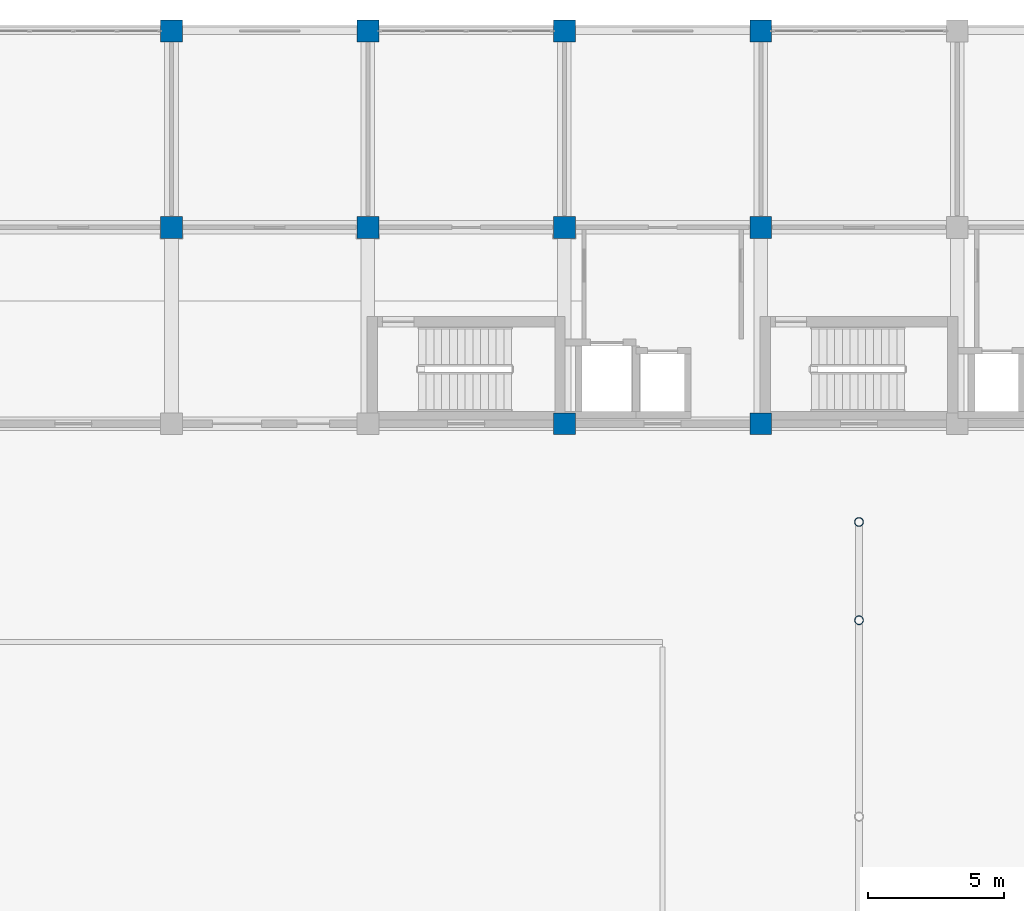
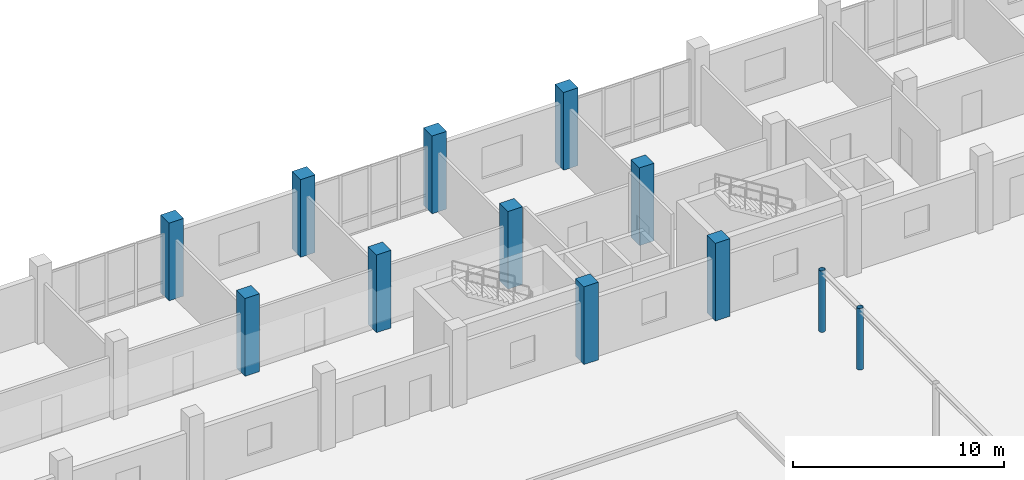
# One storey, part 11 of 139: 12 columns.
"""IFC4 building model written with IfcOpenShell, lengths in metres."""

import ifcopenshell
import ifcopenshell.guid

model = None  # the IFC model being written
_history = None  # IfcOwnerHistory: only IFC2X3 demands one
_inside = {}  # id of a spatial element -> (the spatial element, [elements in it])
_under = {}  # id of a project, library or spatial element -> (it, [spatial elements below it])
_declared = {}  # id of a project -> (the project, [libraries it declares])
_typed = {}  # id of a type object -> (the type object, [elements of that type])
_made_of = {}  # id of a material, layer set ... -> (it, [elements and type objects made of it])


def new_model(schema):
    """Start an empty IFC model of exactly this schema.

    Asked for "IFC4X3", IfcOpenShell would pick the latest addendum, in which some entities
    have other attributes; the version numbers below select the first issue.
    IFC2X3 requires an IfcOwnerHistory on every rooted entity: one is made here for all.
    """
    global model, _history
    if schema == "IFC4X3":
        model = ifcopenshell.file(schema_version=(4, 3, 0, 0))
    else:
        model = ifcopenshell.file(schema=schema)
    _inside.clear()
    _under.clear()
    _declared.clear()
    _typed.clear()
    _made_of.clear()
    _history = None
    if model.schema == "IFC2X3":
        org = make("IfcOrganization", Name="unknown")
        user = make(
            "IfcPersonAndOrganization",
            ThePerson=make("IfcPerson", FamilyName="unknown"),
            TheOrganization=org,
        )
        app = make(
            "IfcApplication",
            ApplicationDeveloper=org,
            Version="unknown",
            ApplicationFullName="unknown",
            ApplicationIdentifier="unknown",
        )
        _history = make(
            "IfcOwnerHistory",
            OwningUser=user,
            OwningApplication=app,
            ChangeAction="ADDED",
            CreationDate=0,
        )
    return model


def make(cls, **values):
    """One entity of the class cls with the attributes given. An attribute that is None is left unset."""
    return model.create_entity(
        cls, **{name: value for name, value in values.items() if value is not None}
    )


def rooted(cls, **values):
    """An entity with a GlobalId (a new one), such as an element, a storey or a relation."""
    return make(cls, GlobalId=ifcopenshell.guid.new(), OwnerHistory=_history, **values)


def si_unit(unit_type, name, prefix=None):
    """IfcSIUnit, for example si_unit("LENGTHUNIT", "METRE", prefix="MILLI")."""
    return make("IfcSIUnit", UnitType=unit_type, Prefix=prefix, Name=name)


def assignment(units):
    """IfcUnitAssignment: the units of a project."""
    return None if units is None else make("IfcUnitAssignment", Units=units)


def point(xyz):
    """IfcCartesianPoint."""
    return None if xyz is None else make("IfcCartesianPoint", Coordinates=xyz)


def direction(xyz):
    """IfcDirection."""
    return None if xyz is None else make("IfcDirection", DirectionRatios=xyz)


def frame(location, z_axis=None, x_axis=None):
    """IfcAxis2Placement3D, a coordinate frame: its origin and axes. An axis left out is left unset."""
    return make(
        "IfcAxis2Placement3D",
        Location=point(location),
        Axis=direction(z_axis),
        RefDirection=direction(x_axis),
    )


def frame_2d(location, x_axis=None):
    """IfcAxis2Placement2D, a coordinate frame in the plane: its origin and x axis."""
    return make(
        "IfcAxis2Placement2D", Location=point(location), RefDirection=direction(x_axis)
    )


def origin():
    """The frame at (0, 0, 0) with its axes left unset."""
    return frame((0.0, 0.0, 0.0))


def origin_2d():
    """The frame at (0, 0) in the plane with its x axis left unset."""
    return frame_2d((0.0, 0.0))


def place(relative_to, where):
    """IfcLocalPlacement: puts the frame where relative to a parent placement (None: the world)."""
    return make(
        "IfcLocalPlacement", PlacementRelTo=relative_to, RelativePlacement=where
    )


def context(
    kind, dimensions, precision=None, world=None, true_north=None, identifier=None
):
    """IfcGeometricRepresentationContext, for example the 3D "Model" context."""
    return make(
        "IfcGeometricRepresentationContext",
        ContextIdentifier=identifier,
        ContextType=kind,
        CoordinateSpaceDimension=dimensions,
        Precision=precision,
        WorldCoordinateSystem=world,
        TrueNorth=true_north,
    )


def subcontext(parent, identifier, kind, view, scale=None):
    """IfcGeometricRepresentationSubContext, for example "Body" below "Model"."""
    return make(
        "IfcGeometricRepresentationSubContext",
        ContextIdentifier=identifier,
        ContextType=kind,
        ParentContext=parent,
        TargetScale=scale,
        TargetView=view,
    )


def project(units=None, contexts=None):
    """IfcProject with its units and contexts."""
    return rooted(
        "IfcProject",
        Name="project",
        RepresentationContexts=contexts,
        UnitsInContext=assignment(units),
    )


def spatial(cls, under=None, at=None, **own):
    """A site, building, storey or space (cls), placed at a placement, below another one or the project."""
    s = rooted(cls, ObjectPlacement=at, **own)
    if under is not None:
        _under.setdefault(under.id(), (under, []))[1].append(s)
    return s


def profile(cls, at=None, kind="AREA", **sizes):
    """A parametric profile (cls). Its sizes go by their IFC names, for example OverallWidth=200.0."""
    return make(cls, ProfileType=kind, Position=at, **sizes)


def rectangle(**sizes):
    """IfcRectangleProfileDef."""
    return profile("IfcRectangleProfileDef", **sizes)


def hollow_circle(**sizes):
    """IfcCircleHollowProfileDef."""
    return profile("IfcCircleHollowProfileDef", **sizes)


def extrude(swept, where, along, depth):
    """IfcExtrudedAreaSolid: the profile swept, set in the frame where, extruded along a direction by depth."""
    return make(
        "IfcExtrudedAreaSolid",
        SweptArea=swept,
        Position=where,
        ExtrudedDirection=direction(along),
        Depth=depth,
    )


def shape(context_of_items, identifier, shape_type, items):
    """IfcShapeRepresentation: the items that make up one representation, for example the "Body"."""
    return make(
        "IfcShapeRepresentation",
        ContextOfItems=context_of_items,
        RepresentationIdentifier=identifier,
        RepresentationType=shape_type,
        Items=items,
    )


def material(Name=None, Category=None):
    """IfcMaterial."""
    return make("IfcMaterial", Name=Name, Category=Category)


def material_profile(
    of_material, cross_section, Name=None, Category=None, Priority=None
):
    """IfcMaterialProfile: a cross section and its material."""
    return make(
        "IfcMaterialProfile",
        Name=Name,
        Material=of_material,
        Profile=cross_section,
        Priority=Priority,
        Category=Category,
    )


def profile_set(profiles, Name=None, composite=None):
    """IfcMaterialProfileSet."""
    return make(
        "IfcMaterialProfileSet",
        Name=Name,
        MaterialProfiles=profiles,
        CompositeProfile=composite,
    )


def made_of(thing, what):
    """Note that an element or type object is made of a material, layer set ...; save() writes the relation."""
    if what is not None:
        _made_of.setdefault(what.id(), (what, []))[1].append(thing)
    return thing


def type_object(cls, material=None, **own):
    """A type object (cls), such as IfcWallType, which elements share."""
    return made_of(rooted(cls, **own), material)


def element(
    cls,
    number,
    at=None,
    inside=None,
    cuts=None,
    type_object=None,
    material=None,
    context=None,
    identifier="Body",
    shape_type=None,
    held_by="IfcProductDefinitionShape",
    body=None,
    shapes=None,
    **own,
):
    """One element of the class cls, such as IfcWall. Its Tag is "e" and its number.

    at: its placement. inside: the storey or other place that contains it. cuts: it is an
    opening in that element (IfcRelVoidsElement). A single representation is given by context,
    identifier, shape_type and body (its items); several are given by shapes. held_by: the class
    of the entity that holds the representations. save() writes the other relations.
    """
    e = rooted(cls, Tag="e%d" % number, ObjectPlacement=at, **own)
    if body is not None:
        shapes = [shape(context, identifier, shape_type, body)]
    if shapes is not None:
        e.Representation = make(held_by, Representations=shapes)
    if inside is not None:
        _inside.setdefault(inside.id(), (inside, []))[1].append(e)
    if cuts is not None:
        rooted(
            "IfcRelVoidsElement", RelatingBuildingElement=cuts, RelatedOpeningElement=e
        )
    if type_object is not None:
        _typed.setdefault(type_object.id(), (type_object, []))[1].append(e)
    return made_of(e, material)


def aggregate(whole, parts):
    """IfcRelAggregates: a whole, such as a stair, and the parts it consists of."""
    return rooted("IfcRelAggregates", RelatingObject=whole, RelatedObjects=parts)


def save(model, path):
    """Write the relations noted so far, then the file.

    IfcRelAggregates (storeys below a building ...), IfcRelContainedInSpatialStructure (elements
    in a storey), IfcRelDefinesByType, IfcRelAssociatesMaterial and IfcRelDeclares: one each for
    every whole, place, type object, material and project.
    """
    for whole, parts in _under.values():
        aggregate(whole, parts)
    for where, things in _inside.values():
        rooted(
            "IfcRelContainedInSpatialStructure",
            RelatedElements=things,
            RelatingStructure=where,
        )
    for kind, things in _typed.values():
        rooted("IfcRelDefinesByType", RelatedObjects=things, RelatingType=kind)
    for what, things in _made_of.values():
        rooted("IfcRelAssociatesMaterial", RelatedObjects=things, RelatingMaterial=what)
    for by, libraries in _declared.values():
        rooted("IfcRelDeclares", RelatingContext=by, RelatedDefinitions=libraries)
    model.write(path)


model = new_model("IFC4")

# Units and contexts
model_context = context("Model", 3, precision=1e-05, world=origin(), true_north=direction((0.0, 1.0)))
body_context = subcontext(model_context, "Body", "Model", "MODEL_VIEW")
ifc_project = project(units=[si_unit("LENGTHUNIT", "METRE"), si_unit("AREAUNIT", "SQUARE_METRE"), si_unit("VOLUMEUNIT", "CUBIC_METRE"), si_unit("PLANEANGLEUNIT", "RADIAN"), si_unit("MASSUNIT", "GRAM", prefix="KILO")], contexts=[model_context])

# Site, building, storey
site_placement = place(None, origin())
site = spatial("IfcSite", under=ifc_project, at=site_placement, CompositionType="ELEMENT")
building_placement = place(site_placement, origin())
building = spatial("IfcBuilding", under=site, at=building_placement, Name="Suanplinth Sawtooth Commons", CompositionType="ELEMENT")
storey_placement = place(building_placement, origin())
storey = spatial("IfcBuildingStorey", under=building, at=storey_placement, Name="L00", CompositionType="ELEMENT", Elevation=0.0)

# Columns
ifc_material_1 = material(Name="Concrete C40/50", Category="concrete")
ifc_material_profile_1 = material_profile(ifc_material_1, rectangle(XDim=0.800048828125, YDim=0.800048828125, at=origin_2d()), Name="RC-COL 800x800")
ifc_profile_set_1 = profile_set([ifc_material_profile_1], Name="Concrete C40/50")
column_type_1 = type_object("IfcColumnType", Name="C-01", PredefinedType="COLUMN", material=ifc_profile_set_1)
for number, where, z_axis, x_axis, name in (
    (1, (36.0, 115.199951171875, 0.0), (0.0, 0.0, 1.0), (1.0, 0.0, 0.0), "Column L00 6/S"),
    (2, (36.0, 122.39990234375, 0.0), (0.0, 0.0, 1.0), (1.0, 0.0, 0.0), "Column L00 6/T"),
    (3, (43.199951171875, 115.199951171875, 0.0), (0.0, 0.0, 1.0), (1.0, 0.0, 0.0), "Column L00 7/S"),
    (4, (43.199951171875, 122.39990234375, 0.0), (0.0, 0.0, 1.0), (1.0, 0.0, 0.0), "Column L00 7/T"),
    (5, (50.39990234375, 108.0, 0.0), (0.0, 0.0, 1.0), (1.0, 0.0, 0.0), "Column L00 8/R"),
    (6, (50.39990234375, 115.199951171875, 0.0), (0.0, 0.0, 1.0), (1.0, 0.0, 0.0), "Column L00 8/S"),
    (7, (50.39990234375, 122.39990234375, 0.0), (0.0, 0.0, 1.0), (1.0, 0.0, 0.0), "Column L00 8/T"),
    (8, (57.60009765625, 108.0, 0.0), (0.0, 0.0, 1.0), (1.0, 0.0, 0.0), "Column L00 9/R"),
    (9, (57.60009765625, 115.199951171875, 0.0), (0.0, 0.0, 1.0), (1.0, 0.0, 0.0), "Column L00 9/S"),
    (10, (57.60009765625, 122.39990234375, 0.0), (0.0, 0.0, 1.0), (1.0, 0.0, 0.0), "Column L00 9/T"),
):
    element("IfcColumn", number, at=place(storey_placement, frame(where, z_axis=z_axis, x_axis=x_axis)), inside=storey, type_object=column_type_1, Name=name, PredefinedType="COLUMN", context=body_context, shape_type="SweptSolid", body=[
        extrude(rectangle(XDim=0.800048828125, YDim=0.800048828125, at=origin_2d()), origin(), (0.0, 0.0, 1.0), 4.5),
    ])
ifc_material_2 = material(Name="Steel S355JR", Category="steel")
ifc_material_profile_2 = material_profile(ifc_material_2, hollow_circle(Radius=0.161865234375, WallThickness=0.012451171875, at=origin_2d()), Name="CHS 323.9x12.5")
ifc_profile_set_2 = profile_set([ifc_material_profile_2], Name="Steel S355JR")
column_type_2 = type_object("IfcColumnType", Name="C-12", PredefinedType="COLUMN", material=ifc_profile_set_2)
for number, where, z_axis, x_axis, name in (
    (11, (61.199951171875, 100.800048828125, 0.0), (0.0, 0.0, 1.0), (1.0, 0.0, 0.0), "West Breezeway Canopy Column W11"),
    (12, (61.199951171875, 104.39990234375, 0.0), (0.0, 0.0, 1.0), (1.0, 0.0, 0.0), "West Breezeway Canopy Column W12"),
):
    element("IfcColumn", number, at=place(storey_placement, frame(where, z_axis=z_axis, x_axis=x_axis)), inside=storey, type_object=column_type_2, Name=name, PredefinedType="COLUMN", context=body_context, shape_type="SweptSolid", body=[
        extrude(hollow_circle(Radius=0.161865234375, WallThickness=0.012451171875, at=origin_2d()), origin(), (0.0, 0.0, 1.0), 3.550048828125),
    ])

save(model, "model.ifc")
